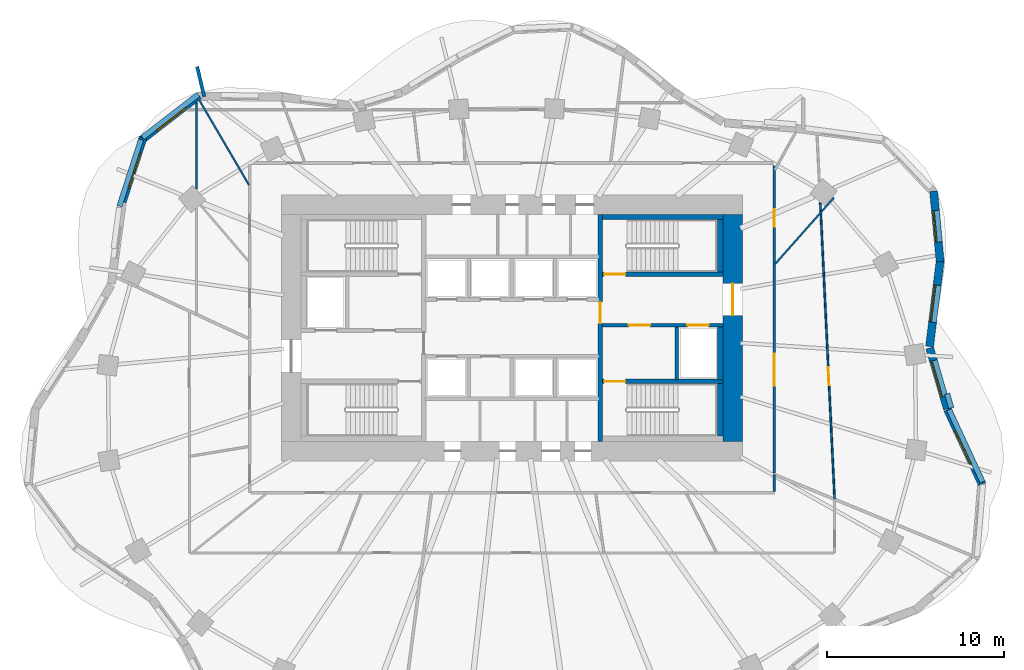
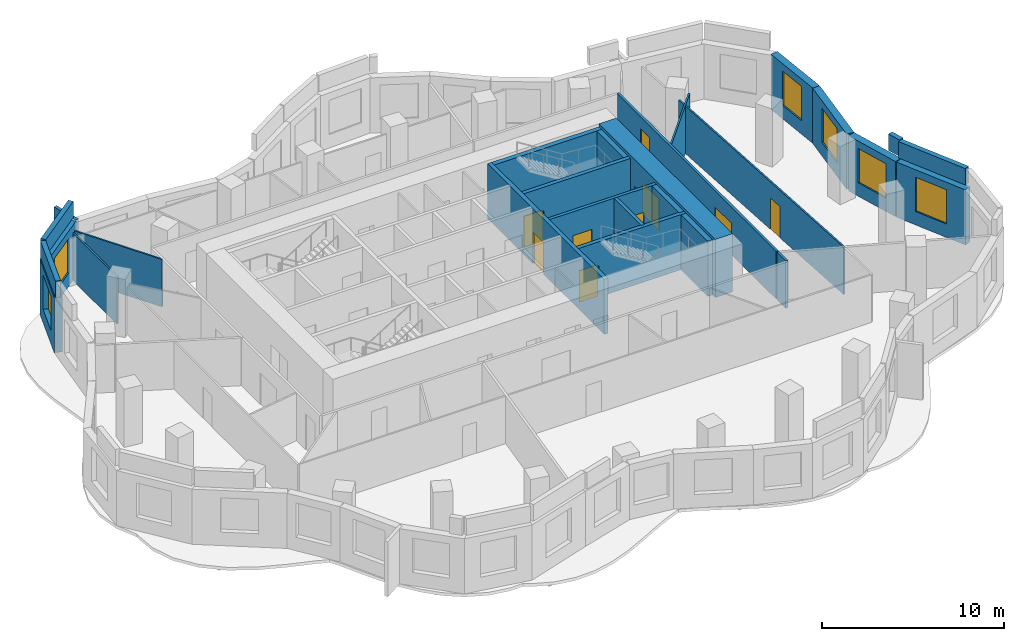
# One storey, part 6 of 9: 27 walls, 9 doors, 6 windows, 15 openings.
"""IFC4 building model written with IfcOpenShell, lengths in metres."""

from ifc_helpers import new_model, si_unit, direction, frame, frame_2d, origin, place, context, subcontext, project, spatial, rectangle, extrude, material, layer, layer_set, type_object, element, fill, save


model = new_model("IFC4")

# Units and contexts
model_context = context("Model", 3, precision=1e-05, world=origin(), true_north=direction((0.0, 1.0)))
body_context = subcontext(model_context, "Body", "Model", "MODEL_VIEW")
ifc_project = project(units=[si_unit("LENGTHUNIT", "METRE"), si_unit("AREAUNIT", "SQUARE_METRE"), si_unit("VOLUMEUNIT", "CUBIC_METRE"), si_unit("PLANEANGLEUNIT", "RADIAN"), si_unit("MASSUNIT", "GRAM", prefix="KILO")], contexts=[model_context])

# Site, building, storey
site_placement = place(None, origin())
site = spatial("IfcSite", under=ifc_project, at=site_placement, CompositionType="ELEMENT")
building_placement = place(site_placement, origin())
building = spatial("IfcBuilding", under=site, at=building_placement, Name="Rubra Terraces Tower", CompositionType="ELEMENT")
storey_placement = place(building_placement, frame((0.0, 0.0, 130.5)))
storey = spatial("IfcBuildingStorey", under=building, at=storey_placement, Name="L31", CompositionType="ELEMENT", Elevation=130.5)

# Wall, opening, window
ifc_material_1 = material(Name="Brick masonry red-brown", Category="masonry")
ifc_layer_1 = layer(ifc_material_1, 0.449951171875)
ifc_layer_set_1 = layer_set([ifc_layer_1], Name="Brick masonry red-brown")
wall_type_1 = type_object("IfcWallType", Name="Brick facade wall 450", PredefinedType="SOLIDWALL", material=ifc_layer_set_1)
wall_1_placement = place(storey_placement, frame((24.56689453125, -0.082275390625, 0.0), z_axis=(0.0, 0.0, 1.0), x_axis=(-0.279202919694, 0.960232122788, 0.0)))
wall_1 = element("IfcWall", 1, at=wall_1_placement, inside=storey, type_object=wall_type_1, Name="Facade wall L31 bay 1", PredefinedType="SOLIDWALL", context=body_context, shape_type="SweptSolid", body=[
    extrude(rectangle(XDim=3.587646484375, YDim=0.449951171875, at=frame_2d((1.7939453125, 0.0))), origin(), (0.0, 0.0, 1.0), 3.699951171875),
])
opening_1_placement = place(wall_1_placement, frame((0.743896484375, 0.0, 0.89990234375)))
opening_1 = element("IfcOpeningElement", 2, at=opening_1_placement, cuts=wall_1, Name="Opening W1B", PredefinedType="OPENING", context=body_context, shape_type="SweptSolid", body=[
    extrude(rectangle(XDim=2.10009765625, YDim=2.300048828125, at=frame_2d((1.050048828125, 1.14990234375))), frame((0.0, 0.23486328125, 0.0), z_axis=(0.0, -1.0, 0.0), x_axis=(1.0, 0.0, 0.0)), (0.0, 0.0, 1.0), 0.469970703125),
])
ifc_material_2 = material(Name="Clear glass in aluminium frame", Category="aluminium")
window_type_1 = type_object("IfcWindowType", Name="Fixed deep-set window tall storey 2100 x 2300", PartitioningType="SINGLE_PANEL", PredefinedType="WINDOW", material=ifc_material_2)
window_1_placement = place(opening_1_placement, origin())
window_1 = element("IfcWindow", 3, at=window_1_placement, inside=storey, type_object=window_type_1, Name="Window L31 bay 1", OverallHeight=2.300048828125, OverallWidth=2.10009765625, PartitioningType="SINGLE_PANEL", PredefinedType="WINDOW", context=body_context, shape_type="SweptSolid", body=[
    extrude(rectangle(XDim=2.10009765625, YDim=2.300048828125, at=frame_2d((1.050048828125, 1.14990234375))), frame((0.0, 0.135009765625, 0.0), z_axis=(0.0, -1.0, 0.0), x_axis=(1.0, 0.0, 0.0)), (0.0, 0.0, 1.0), 0.06005859375),
])
fill(opening_1, window_1)

wall_2_placement = place(storey_placement, frame((23.559814453125, 3.447021484375, 0.0), z_axis=(0.0, 0.0, 1.0), x_axis=(0.12231391248, 0.992491464353, 0.0)))
wall_2 = element("IfcWall", 4, at=wall_2_placement, inside=storey, type_object=wall_type_1, Name="Facade wall L31 bay 2", PredefinedType="SOLIDWALL", context=body_context, shape_type="SweptSolid", body=[
    extrude(rectangle(XDim=4.872314453125, YDim=0.449951171875, at=frame_2d((2.43603515625, 0.0))), origin(), (0.0, 0.0, 1.0), 3.699951171875),
])
opening_2_placement = place(wall_2_placement, frame((1.38623046875, 0.0, 0.89990234375)))
opening_2 = element("IfcOpeningElement", 5, at=opening_2_placement, cuts=wall_2, Name="Opening W1B", PredefinedType="OPENING", context=body_context, shape_type="SweptSolid", body=[
    extrude(rectangle(XDim=2.10009765625, YDim=2.300048828125, at=frame_2d((1.050048828125, 1.14990234375))), frame((0.0, 0.23486328125, 0.0), z_axis=(0.0, -1.0, 0.0), x_axis=(1.0, 0.0, 0.0)), (0.0, 0.0, 1.0), 0.469970703125),
])
window_2_placement = place(opening_2_placement, origin())
window_2 = element("IfcWindow", 6, at=window_2_placement, inside=storey, type_object=window_type_1, Name="Window L31 bay 2", OverallHeight=2.300048828125, OverallWidth=2.10009765625, PartitioningType="SINGLE_PANEL", PredefinedType="WINDOW", context=body_context, shape_type="SweptSolid", body=[
    extrude(rectangle(XDim=2.10009765625, YDim=2.300048828125, at=frame_2d((1.050048828125, 1.14990234375))), frame((0.0, 0.135009765625, 0.0), z_axis=(0.0, -1.0, 0.0), x_axis=(1.0, 0.0, 0.0)), (0.0, 0.0, 1.0), 0.06005859375),
])
fill(opening_2, window_2)

wall_3_placement = place(storey_placement, frame((24.155029296875, 8.234619140625, 0.0), z_axis=(0.0, 0.0, 1.0), x_axis=(-0.091874058945, 0.995770634882, 0.0)))
wall_3 = element("IfcWall", 7, at=wall_3_placement, inside=storey, type_object=wall_type_1, Name="Facade wall L31 bay 3", PredefinedType="SOLIDWALL", context=body_context, shape_type="SweptSolid", body=[
    extrude(rectangle(XDim=3.99658203125, YDim=0.449951171875, at=frame_2d((1.998291015625, 0.0))), origin(), (0.0, 0.0, 1.0), 3.699951171875),
])
opening_3_placement = place(wall_3_placement, frame((1.098388671875, 0.0, 0.89990234375)))
opening_3 = element("IfcOpeningElement", 8, at=opening_3_placement, cuts=wall_3, Name="Opening W6B", PredefinedType="OPENING", context=body_context, shape_type="SweptSolid", body=[
    extrude(rectangle(XDim=1.800048828125, YDim=2.300048828125, at=frame_2d((0.89990234375, 1.14990234375))), frame((0.0, 0.23486328125, 0.0), z_axis=(0.0, -1.0, 0.0), x_axis=(1.0, 0.0, 0.0)), (0.0, 0.0, 1.0), 0.469970703125),
])
window_type_2 = type_object("IfcWindowType", Name="Fixed deep-set window at wind fin tall storey 1800 x 2300", PartitioningType="SINGLE_PANEL", PredefinedType="WINDOW", material=ifc_material_2)
window_3_placement = place(opening_3_placement, origin())
window_3 = element("IfcWindow", 9, at=window_3_placement, inside=storey, type_object=window_type_2, Name="Window L31 bay 3", OverallHeight=2.300048828125, OverallWidth=1.800048828125, PartitioningType="SINGLE_PANEL", PredefinedType="WINDOW", context=body_context, shape_type="SweptSolid", body=[
    extrude(rectangle(XDim=1.800048828125, YDim=2.300048828125, at=frame_2d((0.89990234375, 1.14990234375))), frame((0.0, 0.135009765625, 0.0), z_axis=(0.0, -1.0, 0.0), x_axis=(1.0, 0.0, 0.0)), (0.0, 0.0, 1.0), 0.06005859375),
])
fill(opening_3, window_3)

wall_4_placement = place(storey_placement, frame((-17.6494140625, 17.60888671875, 0.0), z_axis=(0.0, 0.0, 1.0), x_axis=(-0.791693388686, -0.610918634771, 0.0)))
wall_4 = element("IfcWall", 10, at=wall_4_placement, inside=storey, type_object=wall_type_1, Name="Facade wall L31 bay 16", PredefinedType="SOLIDWALL", context=body_context, shape_type="SweptSolid", body=[
    extrude(rectangle(XDim=4.10009765625, YDim=0.449951171875, at=frame_2d((2.050048828125, 0.0))), origin(), (0.0, 0.0, 1.0), 3.699951171875),
])
opening_4_placement = place(wall_4_placement, frame((1.0, 0.0, 0.89990234375)))
opening_4 = element("IfcOpeningElement", 11, at=opening_4_placement, cuts=wall_4, Name="Opening W1B", PredefinedType="OPENING", context=body_context, shape_type="SweptSolid", body=[
    extrude(rectangle(XDim=2.10009765625, YDim=2.300048828125, at=frame_2d((1.050048828125, 1.14990234375))), frame((0.0, 0.23486328125, 0.0), z_axis=(0.0, -1.0, 0.0), x_axis=(1.0, 0.0, 0.0)), (0.0, 0.0, 1.0), 0.469970703125),
])
window_4_placement = place(opening_4_placement, origin())
window_4 = element("IfcWindow", 12, at=window_4_placement, inside=storey, type_object=window_type_1, Name="Window L31 bay 16", OverallHeight=2.300048828125, OverallWidth=2.10009765625, PartitioningType="SINGLE_PANEL", PredefinedType="WINDOW", context=body_context, shape_type="SweptSolid", body=[
    extrude(rectangle(XDim=2.10009765625, YDim=2.300048828125, at=frame_2d((1.050048828125, 1.14990234375))), frame((0.0, 0.135009765625, 0.0), z_axis=(0.0, -1.0, 0.0), x_axis=(1.0, 0.0, 0.0)), (0.0, 0.0, 1.0), 0.06005859375),
])
fill(opening_4, window_4)

wall_5_placement = place(storey_placement, frame((-20.819091796875, 15.212646484375, 0.0), z_axis=(0.0, 0.0, 1.0), x_axis=(-0.308282259578, -0.95129493241, 0.0)))
wall_5 = element("IfcWall", 13, at=wall_5_placement, inside=storey, type_object=wall_type_1, Name="Facade wall L31 bay 17", PredefinedType="SOLIDWALL", context=body_context, shape_type="SweptSolid", body=[
    extrude(rectangle(XDim=3.78466796875, YDim=0.449951171875, at=frame_2d((1.892333984375, 0.0))), origin(), (0.0, 0.0, 1.0), 3.699951171875),
])
opening_5_placement = place(wall_5_placement, frame((0.84228515625, 0.0, 0.89990234375)))
opening_5 = element("IfcOpeningElement", 14, at=opening_5_placement, cuts=wall_5, Name="Opening W1B", PredefinedType="OPENING", context=body_context, shape_type="SweptSolid", body=[
    extrude(rectangle(XDim=2.10009765625, YDim=2.300048828125, at=frame_2d((1.050048828125, 1.14990234375))), frame((0.0, 0.23486328125, 0.0), z_axis=(0.0, -1.0, 0.0), x_axis=(1.0, 0.0, 0.0)), (0.0, 0.0, 1.0), 0.469970703125),
])
window_5_placement = place(opening_5_placement, origin())
window_5 = element("IfcWindow", 15, at=window_5_placement, inside=storey, type_object=window_type_1, Name="Window L31 bay 17", OverallHeight=2.300048828125, OverallWidth=2.10009765625, PartitioningType="SINGLE_PANEL", PredefinedType="WINDOW", context=body_context, shape_type="SweptSolid", body=[
    extrude(rectangle(XDim=2.10009765625, YDim=2.300048828125, at=frame_2d((1.050048828125, 1.14990234375))), frame((0.0, 0.135009765625, 0.0), z_axis=(0.0, -1.0, 0.0), x_axis=(1.0, 0.0, 0.0)), (0.0, 0.0, 1.0), 0.06005859375),
])
fill(opening_5, window_5)

wall_6_placement = place(storey_placement, frame((26.523681640625, -4.323974609375, 0.0), z_axis=(0.0, 0.0, 1.0), x_axis=(-0.419579037504, 0.907718806287, 0.0)))
wall_6 = element("IfcWall", 16, at=wall_6_placement, inside=storey, type_object=wall_type_1, Name="Facade wall L31 bay 40", PredefinedType="SOLIDWALL", context=body_context, shape_type="SweptSolid", body=[
    extrude(rectangle(XDim=4.63623046875, YDim=0.449951171875, at=frame_2d((2.318115234375, 0.0))), origin(), (0.0, 0.0, 1.0), 3.699951171875),
])
opening_6_placement = place(wall_6_placement, frame((1.26806640625, 0.0, 0.89990234375)))
opening_6 = element("IfcOpeningElement", 17, at=opening_6_placement, cuts=wall_6, Name="Opening W1B", PredefinedType="OPENING", context=body_context, shape_type="SweptSolid", body=[
    extrude(rectangle(XDim=2.10009765625, YDim=2.300048828125, at=frame_2d((1.050048828125, 1.14990234375))), frame((0.0, 0.23486328125, 0.0), z_axis=(0.0, -1.0, 0.0), x_axis=(1.0, 0.0, 0.0)), (0.0, 0.0, 1.0), 0.469970703125),
])
window_6_placement = place(opening_6_placement, origin())
window_6 = element("IfcWindow", 18, at=window_6_placement, inside=storey, type_object=window_type_1, Name="Window L31 bay 40", OverallHeight=2.300048828125, OverallWidth=2.10009765625, PartitioningType="SINGLE_PANEL", PredefinedType="WINDOW", context=body_context, shape_type="SweptSolid", body=[
    extrude(rectangle(XDim=2.10009765625, YDim=2.300048828125, at=frame_2d((1.050048828125, 1.14990234375))), frame((0.0, 0.135009765625, 0.0), z_axis=(0.0, -1.0, 0.0), x_axis=(1.0, 0.0, 0.0)), (0.0, 0.0, 1.0), 0.06005859375),
])
fill(opening_6, window_6)

# Walls
ifc_layer_2 = layer(ifc_material_1, 0.300048828125)
ifc_layer_set_2 = layer_set([ifc_layer_2], Name="Brick masonry red-brown")
wall_type_2 = type_object("IfcWallType", Name="Brick parapet 300", PredefinedType="PARAPET", material=ifc_layer_set_2)
wall_7_placement = place(storey_placement, frame((24.78466796875, -0.025634765625, 3.89990234375), z_axis=(0.0, 0.0, 1.0), x_axis=(-0.279261128564, 0.96021519571, 0.0)))
element("IfcWall", 19, at=wall_7_placement, inside=storey, type_object=wall_type_2, Name="Parapet L31 bay 1", PredefinedType="PARAPET", context=body_context, shape_type="SweptSolid", body=[
    extrude(rectangle(XDim=0.83740234375, YDim=0.300048828125, at=frame_2d((0.418701171875, 0.0))), origin(), (0.0, 0.0, 1.0), 1.10009765625),
])
wall_8_placement = place(storey_placement, frame((-17.697998046875, 17.666259765625, 3.89990234375), z_axis=(0.0, 0.0, 1.0), x_axis=(-0.791652356246, -0.610971805282, 0.0)))
element("IfcWall", 20, at=wall_8_placement, inside=storey, type_object=wall_type_2, Name="Parapet L31 bay 16", PredefinedType="PARAPET", context=body_context, shape_type="SweptSolid", body=[
    extrude(rectangle(XDim=3.973876953125, YDim=0.300048828125, at=frame_2d((1.98681640625, 0.0))), origin(), (0.0, 0.0, 1.0), 1.10009765625),
])
wall_9_placement = place(storey_placement, frame((-20.92822265625, 15.118896484375, 3.89990234375), z_axis=(0.0, 0.0, 1.0), x_axis=(-0.30831369753, -0.951284743868, 0.0)))
element("IfcWall", 21, at=wall_9_placement, inside=storey, type_object=wall_type_2, Name="Parapet L31 bay 17", PredefinedType="PARAPET", context=body_context, shape_type="SweptSolid", body=[
    extrude(rectangle(XDim=3.938720703125, YDim=0.300048828125, at=frame_2d((1.96923828125, 0.0))), origin(), (0.0, 0.0, 1.0), 1.10009765625),
])
wall_10_placement = place(storey_placement, frame((26.548095703125, -4.19775390625, 3.89990234375), z_axis=(0.0, 0.0, 1.0), x_axis=(-0.419598608408, 0.907709759682, 0.0)))
element("IfcWall", 22, at=wall_10_placement, inside=storey, type_object=wall_type_2, Name="Parapet L31 bay 40", PredefinedType="PARAPET", context=body_context, shape_type="SweptSolid", body=[
    extrude(rectangle(XDim=4.4970703125, YDim=0.300048828125, at=frame_2d((2.24853515625, 0.0))), origin(), (0.0, 0.0, 1.0), 1.10009765625),
])
ifc_layer_3 = layer(ifc_material_1, 0.199951171875)
ifc_layer_set_3 = layer_set([ifc_layer_3], Name="Brick masonry red-brown")
wall_type_3 = type_object("IfcWallType", Name="Brick wind fin 200", PredefinedType="SOLIDWALL", material=ifc_layer_set_3)
wall_11_placement = place(storey_placement, frame((-17.362060546875, 17.5380859375, 0.0), z_axis=(0.0, 0.0, 1.0), x_axis=(-0.230469860183, 0.973079464148, 0.0)))
element("IfcWall", 23, at=wall_11_placement, inside=storey, type_object=wall_type_3, Name="Wind fin L31 8", PredefinedType="SOLIDWALL", context=body_context, shape_type="SweptSolid", body=[
    extrude(rectangle(XDim=1.75, YDim=0.199951171875, at=frame_2d((0.875, 0.0))), origin(), (0.0, 0.0, 1.0), 3.699951171875),
])

# Wall, opening, door
ifc_material_3 = material(Name="Concrete C60", Category="concrete")
ifc_layer_4 = layer(ifc_material_3, 1.10009765625)
ifc_layer_set_4 = layer_set([ifc_layer_4], Name="Concrete C60")
wall_type_4 = type_object("IfcWallType", Name="CORE WALL 1100 C60", PredefinedType="SHEAR", material=ifc_layer_set_4)
wall_12_placement = place(storey_placement, frame((12.449951171875, -1.89990234375, 0.0), z_axis=(0.0, 0.0, 1.0), x_axis=(0.0, 1.0, 0.0)))
wall_12 = element("IfcWall", 24, at=wall_12_placement, inside=storey, type_object=wall_type_4, Name="CORE WALL E L31", PredefinedType="SHEAR", context=body_context, shape_type="SweptSolid", body=[
    extrude(rectangle(XDim=12.7998046875, YDim=1.10009765625, at=frame_2d((6.39990234375, 0.0))), origin(), (0.0, 0.0, 1.0), 3.89990234375),
])
opening_7_placement = place(wall_12_placement, frame((7.10009765625, 0.0, 0.0)))
opening_7 = element("IfcOpeningElement", 25, at=opening_7_placement, cuts=wall_12, Name="Opening L31.C02", PredefinedType="OPENING", context=body_context, shape_type="SweptSolid", body=[
    extrude(rectangle(XDim=1.800048828125, YDim=2.10009765625, at=frame_2d((0.89990234375, 1.050048828125))), frame((0.0, 0.56005859375, 0.0), z_axis=(0.0, -1.0, 0.0), x_axis=(1.0, 0.0, 0.0)), (0.0, 0.0, 1.0), 1.1201171875),
])
ifc_material_4 = material(Name="Painted steel", Category="steel")
door_type_1 = type_object("IfcDoorType", Name="Fire door 1800x2100 double", OperationType="NOTDEFINED", PredefinedType="DOOR", material=ifc_material_4)
door_1_placement = place(opening_7_placement, origin())
door_1 = element("IfcDoor", 26, at=door_1_placement, inside=storey, type_object=door_type_1, Name="Core entrance door FF2", OperationType="DOUBLE_DOOR_SINGLE_SWING", OverallHeight=2.10009765625, OverallWidth=1.800048828125, PredefinedType="DOOR", context=body_context, shape_type="SweptSolid", body=[
    extrude(rectangle(XDim=1.800048828125, YDim=2.10009765625, at=frame_2d((0.89990234375, 1.050048828125))), frame((0.0, 0.02490234375, 0.0), z_axis=(0.0, -1.0, 0.0), x_axis=(1.0, 0.0, 0.0)), (0.0, 0.0, 1.0), 0.050048828125),
])
fill(opening_7, door_1)

# Wall
ifc_material_5 = material(Name="Plasterboard on steel stud, mineral wool infill", Category="steel")
ifc_layer_5 = layer(ifc_material_5, 0.14990234375)
ifc_layer_set_5 = layer_set([ifc_layer_5], Name="Plasterboard on steel stud, mineral wool infill")
wall_type_5 = type_object("IfcWallType", Name="CORRIDOR PARTITION 150", PredefinedType="PARTITIONING", material=ifc_layer_set_5)
wall_13_placement = place(storey_placement, frame((14.800048828125, -4.72509765625, 0.0), z_axis=(0.0, 0.0, 1.0), x_axis=(0.0, 1.0, 0.0)))
element("IfcWall", 27, at=wall_13_placement, inside=storey, type_object=wall_type_5, Name="PARTITION", PredefinedType="PARTITIONING", context=body_context, shape_type="SweptSolid", body=[
    extrude(rectangle(XDim=0.948486328125, YDim=0.14990234375, at=frame_2d((0.47412109375, 0.0))), origin(), (0.0, 0.0, 1.0), 3.197998046875),
])

# Wall, openings, doors
wall_14_placement = place(storey_placement, frame((14.800048828125, -3.70166015625, 0.0), z_axis=(0.0, 0.0, 1.0), x_axis=(0.0, 1.0, 0.0)))
wall_14 = element("IfcWall", 28, at=wall_14_placement, inside=storey, type_object=wall_type_5, Name="PARTITION", PredefinedType="PARTITIONING", context=body_context, shape_type="SweptSolid", body=[
    extrude(rectangle(XDim=17.501708984375, YDim=0.14990234375, at=frame_2d((8.7509765625, 0.0))), origin(), (0.0, 0.0, 1.0), 3.197998046875),
])
opening_8_placement = place(wall_14_placement, frame((4.93798828125, 0.0, 0.0)))
opening_8 = element("IfcOpeningElement", 29, at=opening_8_placement, cuts=wall_14, Name="Opening 31-114", PredefinedType="OPENING", context=body_context, shape_type="SweptSolid", body=[
    extrude(rectangle(XDim=1.800048828125, YDim=2.10009765625, at=frame_2d((0.89990234375, 1.050048828125))), frame((0.0, 0.0849609375, 0.0), z_axis=(0.0, -1.0, 0.0), x_axis=(1.0, 0.0, 0.0)), (0.0, 0.0, 1.0), 0.169921875),
])
opening_9_placement = place(wall_14_placement, frame((13.89990234375, 0.0, 0.0)))
opening_9 = element("IfcOpeningElement", 30, at=opening_9_placement, cuts=wall_14, Name="Opening 31-116", PredefinedType="OPENING", context=body_context, shape_type="SweptSolid", body=[
    extrude(rectangle(XDim=1.0, YDim=2.39990234375, at=frame_2d((0.5, 1.199951171875))), frame((0.0, 0.0849609375, 0.0), z_axis=(0.0, -1.0, 0.0), x_axis=(1.0, 0.0, 0.0)), (0.0, 0.0, 1.0), 0.169921875),
])
ifc_material_6 = material(Name="Glazed aluminium meeting door leaf", Category="aluminium")
door_type_2 = type_object("IfcDoorType", Name="MEETING ROOM GLAZED DOOR 1000 X 2400", OperationType="SINGLE_SWING_LEFT", PredefinedType="DOOR", material=ifc_material_6)
door_2_placement = place(opening_9_placement, origin())
door_2 = element("IfcDoor", 31, at=door_2_placement, inside=storey, type_object=door_type_2, Name="DOOR 31-116", OperationType="SINGLE_SWING_RIGHT", OverallHeight=2.39990234375, OverallWidth=1.0, PredefinedType="DOOR", context=body_context, shape_type="SweptSolid", body=[
    extrude(rectangle(XDim=1.0, YDim=2.39990234375, at=frame_2d((0.5, 1.199951171875))), frame((0.0, 0.02490234375, 0.0), z_axis=(0.0, -1.0, 0.0), x_axis=(1.0, 0.0, 0.0)), (0.0, 0.0, 1.0), 0.050048828125),
])
fill(opening_9, door_2)
ifc_material_7 = material(Name="Painted timber door leaf, double", Category="wood")
door_type_3 = type_object("IfcDoorType", Name="ROOM DOUBLE DOOR 1800 X 2100", OperationType="DOUBLE_DOOR_SINGLE_SWING", PredefinedType="DOOR", material=ifc_material_7)
door_3_placement = place(opening_8_placement, origin())
door_3 = element("IfcDoor", 32, at=door_3_placement, inside=storey, type_object=door_type_3, Name="DOOR 31-114", OperationType="DOUBLE_DOOR_SINGLE_SWING", OverallHeight=2.10009765625, OverallWidth=1.800048828125, PredefinedType="DOOR", context=body_context, shape_type="SweptSolid", body=[
    extrude(rectangle(XDim=1.800048828125, YDim=2.10009765625, at=frame_2d((0.89990234375, 1.050048828125))), frame((0.0, 0.02490234375, 0.0), z_axis=(0.0, -1.0, 0.0), x_axis=(1.0, 0.0, 0.0)), (0.0, 0.0, 1.0), 0.050048828125),
])
fill(opening_8, door_3)

# Walls
ifc_material_8 = material(Name="Concrete C40", Category="concrete")
ifc_layer_6 = layer(ifc_material_8, 0.300048828125)
ifc_layer_set_6 = layer_set([ifc_layer_6], Name="Concrete C40")
wall_type_6 = type_object("IfcWallType", Name="Core lining wall 300 concrete", PredefinedType="SOLIDWALL", material=ifc_layer_set_6)
wall_15_placement = place(storey_placement, frame((11.89990234375, 10.75, 0.0), z_axis=(0.0, 0.0, 1.0), x_axis=(-1.0, 0.0, 0.0)))
element("IfcWall", 33, at=wall_15_placement, inside=storey, type_object=wall_type_6, Name="CORE LINING WALL L31", PredefinedType="SOLIDWALL", context=body_context, shape_type="SweptSolid", body=[
    extrude(rectangle(XDim=6.7998046875, YDim=0.300048828125, at=frame_2d((3.39990234375, 0.0))), origin(), (0.0, 0.0, 1.0), 3.699951171875),
])
wall_16_placement = place(storey_placement, frame((11.75, 10.60009765625, 0.0), z_axis=(0.0, 0.0, 1.0), x_axis=(0.0, -1.0, 0.0)))
element("IfcWall", 34, at=wall_16_placement, inside=storey, type_object=wall_type_6, Name="CORE LINING WALL L31", PredefinedType="SOLIDWALL", context=body_context, shape_type="SweptSolid", body=[
    extrude(rectangle(XDim=2.9501953125, YDim=0.300048828125, at=frame_2d((1.47509765625, 0.0))), origin(), (0.0, 0.0, 1.0), 3.699951171875),
])
wall_17_placement = place(storey_placement, frame((11.75, 4.550048828125, 0.0), z_axis=(0.0, 0.0, 1.0), x_axis=(0.0, -1.0, 0.0)))
element("IfcWall", 35, at=wall_17_placement, inside=storey, type_object=wall_type_6, Name="CORE LINING WALL L31", PredefinedType="SOLIDWALL", context=body_context, shape_type="SweptSolid", body=[
    extrude(rectangle(XDim=3.0, YDim=0.300048828125, at=frame_2d((1.5, 0.0))), origin(), (0.0, 0.0, 1.0), 3.699951171875),
])
wall_18_placement = place(storey_placement, frame((11.75, 1.35009765625, 0.0), z_axis=(0.0, 0.0, 1.0), x_axis=(0.0, -1.0, 0.0)))
element("IfcWall", 36, at=wall_18_placement, inside=storey, type_object=wall_type_6, Name="CORE LINING WALL L31", PredefinedType="SOLIDWALL", context=body_context, shape_type="SweptSolid", body=[
    extrude(rectangle(XDim=2.9501953125, YDim=0.300048828125, at=frame_2d((1.47509765625, 0.0))), origin(), (0.0, 0.0, 1.0), 3.699951171875),
])

# Wall, openings, doors
ifc_material_9 = material(Name="Concrete C30", Category="concrete")
ifc_layer_7 = layer(ifc_material_9, 0.199951171875)
ifc_layer_set_7 = layer_set([ifc_layer_7], Name="Concrete C30")
wall_type_7 = type_object("IfcWallType", Name="Core wall 200 concrete", PredefinedType="SOLIDWALL", material=ifc_layer_set_7)
wall_19_placement = place(storey_placement, frame((11.89990234375, 4.64990234375, 0.0), z_axis=(0.0, 0.0, 1.0), x_axis=(-1.0, 0.0, 0.0)))
wall_19 = element("IfcWall", 37, at=wall_19_placement, inside=storey, type_object=wall_type_7, Name="STAIR WALL L31", PredefinedType="SOLIDWALL", context=body_context, shape_type="SweptSolid", body=[
    extrude(rectangle(XDim=6.7998046875, YDim=0.199951171875, at=frame_2d((3.39990234375, 0.0))), origin(), (0.0, 0.0, 1.0), 3.699951171875),
])
opening_10_placement = place(wall_19_placement, frame((4.10009765625, 0.0, 0.0)))
opening_10 = element("IfcOpeningElement", 38, at=opening_10_placement, cuts=wall_19, Name="Opening L31.C06", PredefinedType="OPENING", context=body_context, shape_type="SweptSolid", body=[
    extrude(rectangle(XDim=1.199951171875, YDim=2.10009765625, at=frame_2d((0.60009765625, 1.050048828125))), frame((0.0, 0.10986328125, 0.0), z_axis=(0.0, -1.0, 0.0), x_axis=(1.0, 0.0, 0.0)), (0.0, 0.0, 1.0), 0.219970703125),
])
opening_11_placement = place(wall_19_placement, frame((0.800048828125, 0.0, 0.0)))
opening_11 = element("IfcOpeningElement", 39, at=opening_11_placement, cuts=wall_19, Name="Opening L31.C12", PredefinedType="OPENING", context=body_context, shape_type="SweptSolid", body=[
    extrude(rectangle(XDim=1.199951171875, YDim=2.10009765625, at=frame_2d((0.60009765625, 1.050048828125))), frame((0.0, 0.10986328125, 0.0), z_axis=(0.0, -1.0, 0.0), x_axis=(1.0, 0.0, 0.0)), (0.0, 0.0, 1.0), 0.219970703125),
])
door_type_4 = type_object("IfcDoorType", Name="Fire door 1200x2100 single", OperationType="NOTDEFINED", PredefinedType="DOOR", material=ifc_material_4)
door_4_placement = place(opening_10_placement, origin())
door_4 = element("IfcDoor", 40, at=door_4_placement, inside=storey, type_object=door_type_4, Name="Stair vestibule door S4", OperationType="SINGLE_SWING_RIGHT", OverallHeight=2.10009765625, OverallWidth=1.199951171875, PredefinedType="DOOR", context=body_context, shape_type="SweptSolid", body=[
    extrude(rectangle(XDim=1.199951171875, YDim=2.10009765625, at=frame_2d((0.60009765625, 1.050048828125))), frame((0.0, 0.02490234375, 0.0), z_axis=(0.0, -1.0, 0.0), x_axis=(1.0, 0.0, 0.0)), (0.0, 0.0, 1.0), 0.050048828125),
])
fill(opening_10, door_4)
ifc_material_10 = material(Name="Stainless steel", Category="steel")
door_type_5 = type_object("IfcDoorType", Name="Lift landing door 1200x2100", OperationType="NOTDEFINED", PredefinedType="DOOR", material=ifc_material_10)
door_5_placement = place(opening_11_placement, origin())
door_5 = element("IfcDoor", 41, at=door_5_placement, inside=storey, type_object=door_type_5, Name="Landing door FF2", OperationType="SLIDING_TO_RIGHT", OverallHeight=2.10009765625, OverallWidth=1.199951171875, PredefinedType="DOOR", context=body_context, shape_type="SweptSolid", body=[
    extrude(rectangle(XDim=1.199951171875, YDim=2.10009765625, at=frame_2d((0.60009765625, 1.050048828125))), frame((0.0, 0.02490234375, 0.0), z_axis=(0.0, -1.0, 0.0), x_axis=(1.0, 0.0, 0.0)), (0.0, 0.0, 1.0), 0.050048828125),
])
fill(opening_11, door_5)

# Walls
wall_20_placement = place(storey_placement, frame((9.300048828125, 4.550048828125, 0.0), z_axis=(0.0, 0.0, 1.0), x_axis=(0.0, -1.0, 0.0)))
element("IfcWall", 42, at=wall_20_placement, inside=storey, type_object=wall_type_7, Name="STAIR WALL L31", PredefinedType="SOLIDWALL", context=body_context, shape_type="SweptSolid", body=[
    extrude(rectangle(XDim=3.0, YDim=0.199951171875, at=frame_2d((1.5, 0.0))), origin(), (0.0, 0.0, 1.0), 3.699951171875),
])
ifc_material_11 = material(Name="Plasterboard on steel stud", Category="steel")
ifc_layer_8 = layer(ifc_material_11, 0.10009765625)
ifc_layer_set_8 = layer_set([ifc_layer_8], Name="Plasterboard on steel stud")
wall_type_8 = type_object("IfcWallType", Name="ROOM PARTITION 100", PredefinedType="PARTITIONING", material=ifc_layer_set_8)
wall_21_placement = place(storey_placement, frame((-17.800048828125, 12.33740234375, 0.0), z_axis=(0.0, 0.0, 1.0), x_axis=(0.0, 1.0, 0.0)))
element("IfcWall", 43, at=wall_21_placement, inside=storey, type_object=wall_type_8, Name="PARTITION", PredefinedType="PARTITIONING", context=body_context, shape_type="SweptSolid", body=[
    extrude(rectangle(XDim=4.861083984375, YDim=0.10009765625, at=frame_2d((2.4306640625, 0.0))), origin(), (0.0, 0.0, 1.0), 3.18408203125),
])
wall_22_placement = place(storey_placement, frame((-14.837890625, 12.557861328125, 0.0), z_axis=(0.0, 0.0, 1.0), x_axis=(-0.505293152316, 0.862947756369, 0.0)))
element("IfcWall", 44, at=wall_22_placement, inside=storey, type_object=wall_type_8, Name="PARTITION", PredefinedType="PARTITIONING", context=body_context, shape_type="SweptSolid", body=[
    extrude(rectangle(XDim=5.5263671875, YDim=0.10009765625, at=frame_2d((2.76318359375, 0.0))), origin(), (0.0, 0.0, 1.0), 3.18408203125),
])

# Wall, opening, door
wall_23_placement = place(storey_placement, frame((17.39306640625, 11.569091796875, 0.0), z_axis=(0.0, 0.0, 1.0), x_axis=(0.048202645711, -0.998837576859, 0.0)))
wall_23 = element("IfcWall", 45, at=wall_23_placement, inside=storey, type_object=wall_type_8, Name="PARTITION", PredefinedType="PARTITIONING", context=body_context, shape_type="SweptSolid", body=[
    extrude(rectangle(XDim=16.739501953125, YDim=0.10009765625, at=frame_2d((8.36962890625, 0.0))), origin(), (0.0, 0.0, 1.0), 3.18408203125),
])
opening_12_placement = place(wall_23_placement, frame((9.31103515625, 0.0, 0.0)))
opening_12 = element("IfcOpeningElement", 46, at=opening_12_placement, cuts=wall_23, Name="Opening 31-115", PredefinedType="OPENING", context=body_context, shape_type="SweptSolid", body=[
    extrude(rectangle(XDim=1.0, YDim=2.10009765625, at=frame_2d((0.5, 1.050048828125))), frame((0.0, 0.06005859375, 0.0), z_axis=(0.0, -1.0, 0.0), x_axis=(1.0, 0.0, 0.0)), (0.0, 0.0, 1.0), 0.1201171875),
])
ifc_material_12 = material(Name="Painted timber door leaf", Category="wood")
door_type_6 = type_object("IfcDoorType", Name="ROOM DOOR 1000 X 2100", OperationType="SINGLE_SWING_LEFT", PredefinedType="DOOR", material=ifc_material_12)
door_6_placement = place(opening_12_placement, origin())
door_6 = element("IfcDoor", 47, at=door_6_placement, inside=storey, type_object=door_type_6, Name="DOOR 31-115", OperationType="SINGLE_SWING_LEFT", OverallHeight=2.10009765625, OverallWidth=1.0, PredefinedType="DOOR", context=body_context, shape_type="SweptSolid", body=[
    extrude(rectangle(XDim=1.0, YDim=2.10009765625, at=frame_2d((0.5, 1.050048828125))), frame((0.0, 0.02490234375, 0.0), z_axis=(0.0, -1.0, 0.0), x_axis=(1.0, 0.0, 0.0)), (0.0, 0.0, 1.0), 0.050048828125),
])
fill(opening_12, door_6)

# Wall
wall_24_placement = place(storey_placement, frame((14.849609375, 8.10595703125, 0.0), z_axis=(0.0, 0.0, 1.0), x_axis=(0.663305650233, 0.748348591479, 0.0)))
element("IfcWall", 48, at=wall_24_placement, inside=storey, type_object=wall_type_8, Name="PARTITION", PredefinedType="PARTITIONING", context=body_context, shape_type="SweptSolid", body=[
    extrude(rectangle(XDim=5.0009765625, YDim=0.10009765625, at=frame_2d((2.50048828125, 0.0))), origin(), (0.0, 0.0, 1.0), 3.18408203125),
])

# Wall, opening, door
ifc_layer_9 = layer(ifc_material_8, 0.25)
ifc_layer_set_9 = layer_set([ifc_layer_9], Name="Concrete C40")
wall_type_9 = type_object("IfcWallType", Name="Stair enclosure wall 250 concrete", PredefinedType="SOLIDWALL", material=ifc_layer_set_9)
wall_25_placement = place(storey_placement, frame((11.89990234375, 7.52490234375, 0.0), z_axis=(0.0, 0.0, 1.0), x_axis=(-1.0, 0.0, 0.0)))
wall_25 = element("IfcWall", 49, at=wall_25_placement, inside=storey, type_object=wall_type_9, Name="STAIR WALL L31", PredefinedType="SOLIDWALL", context=body_context, shape_type="SweptSolid", body=[
    extrude(rectangle(XDim=6.7998046875, YDim=0.25, at=frame_2d((3.39990234375, 0.0))), origin(), (0.0, 0.0, 1.0), 3.699951171875),
])
opening_13_placement = place(wall_25_placement, frame((5.5, 0.0, 0.0)))
opening_13 = element("IfcOpeningElement", 50, at=opening_13_placement, cuts=wall_25, Name="Opening L31.C08", PredefinedType="OPENING", context=body_context, shape_type="SweptSolid", body=[
    extrude(rectangle(XDim=1.199951171875, YDim=2.10009765625, at=frame_2d((0.60009765625, 1.050048828125))), frame((0.0, 0.135009765625, 0.0), z_axis=(0.0, -1.0, 0.0), x_axis=(1.0, 0.0, 0.0)), (0.0, 0.0, 1.0), 0.27001953125),
])
door_7_placement = place(opening_13_placement, origin())
door_7 = element("IfcDoor", 51, at=door_7_placement, inside=storey, type_object=door_type_4, Name="Stair door S3", OperationType="SINGLE_SWING_RIGHT", OverallHeight=2.10009765625, OverallWidth=1.199951171875, PredefinedType="DOOR", context=body_context, shape_type="SweptSolid", body=[
    extrude(rectangle(XDim=1.199951171875, YDim=2.10009765625, at=frame_2d((0.60009765625, 1.050048828125))), frame((0.0, 0.02490234375, 0.0), z_axis=(0.0, -1.0, 0.0), x_axis=(1.0, 0.0, 0.0)), (0.0, 0.0, 1.0), 0.050048828125),
])
fill(opening_13, door_7)

wall_26_placement = place(storey_placement, frame((11.89990234375, 1.47509765625, 0.0), z_axis=(0.0, 0.0, 1.0), x_axis=(-1.0, 0.0, 0.0)))
wall_26 = element("IfcWall", 52, at=wall_26_placement, inside=storey, type_object=wall_type_9, Name="STAIR WALL L31", PredefinedType="SOLIDWALL", context=body_context, shape_type="SweptSolid", body=[
    extrude(rectangle(XDim=6.7998046875, YDim=0.25, at=frame_2d((3.39990234375, 0.0))), origin(), (0.0, 0.0, 1.0), 3.699951171875),
])
opening_14_placement = place(wall_26_placement, frame((5.5, 0.0, 0.0)))
opening_14 = element("IfcOpeningElement", 53, at=opening_14_placement, cuts=wall_26, Name="Opening L31.C10", PredefinedType="OPENING", context=body_context, shape_type="SweptSolid", body=[
    extrude(rectangle(XDim=1.199951171875, YDim=2.10009765625, at=frame_2d((0.60009765625, 1.050048828125))), frame((0.0, 0.135009765625, 0.0), z_axis=(0.0, -1.0, 0.0), x_axis=(1.0, 0.0, 0.0)), (0.0, 0.0, 1.0), 0.27001953125),
])
door_8_placement = place(opening_14_placement, origin())
door_8 = element("IfcDoor", 54, at=door_8_placement, inside=storey, type_object=door_type_4, Name="Stair door S4", OperationType="SINGLE_SWING_RIGHT", OverallHeight=2.10009765625, OverallWidth=1.199951171875, PredefinedType="DOOR", context=body_context, shape_type="SweptSolid", body=[
    extrude(rectangle(XDim=1.199951171875, YDim=2.10009765625, at=frame_2d((0.60009765625, 1.050048828125))), frame((0.0, 0.02490234375, 0.0), z_axis=(0.0, -1.0, 0.0), x_axis=(1.0, 0.0, 0.0)), (0.0, 0.0, 1.0), 0.050048828125),
])
fill(opening_14, door_8)

wall_27_placement = place(storey_placement, frame((4.97509765625, 10.89990234375, 0.0), z_axis=(0.0, 0.0, 1.0), x_axis=(0.0, -1.0, 0.0)))
wall_27 = element("IfcWall", 55, at=wall_27_placement, inside=storey, type_object=wall_type_9, Name="CORE LOBBY WALL L31", PredefinedType="SOLIDWALL", context=body_context, shape_type="SweptSolid", body=[
    extrude(rectangle(XDim=12.7998046875, YDim=0.25, at=frame_2d((6.39990234375, 0.0))), origin(), (0.0, 0.0, 1.0), 3.699951171875),
])
opening_15_placement = place(wall_27_placement, frame((4.949951171875, 0.0, 0.0)))
opening_15 = element("IfcOpeningElement", 56, at=opening_15_placement, cuts=wall_27, Name="Opening L31.C04", PredefinedType="OPENING", context=body_context, shape_type="SweptSolid", body=[
    extrude(rectangle(XDim=1.199951171875, YDim=2.10009765625, at=frame_2d((0.60009765625, 1.050048828125))), frame((0.0, 0.135009765625, 0.0), z_axis=(0.0, -1.0, 0.0), x_axis=(1.0, 0.0, 0.0)), (0.0, 0.0, 1.0), 0.27001953125),
])
door_9_placement = place(opening_15_placement, origin())
door_9 = element("IfcDoor", 57, at=door_9_placement, inside=storey, type_object=door_type_4, Name="Firefighting lobby door FF2", OperationType="SINGLE_SWING_RIGHT", OverallHeight=2.10009765625, OverallWidth=1.199951171875, PredefinedType="DOOR", context=body_context, shape_type="SweptSolid", body=[
    extrude(rectangle(XDim=1.199951171875, YDim=2.10009765625, at=frame_2d((0.60009765625, 1.050048828125))), frame((0.0, 0.02490234375, 0.0), z_axis=(0.0, -1.0, 0.0), x_axis=(1.0, 0.0, 0.0)), (0.0, 0.0, 1.0), 0.050048828125),
])
fill(opening_15, door_9)

save(model, "model.ifc")
